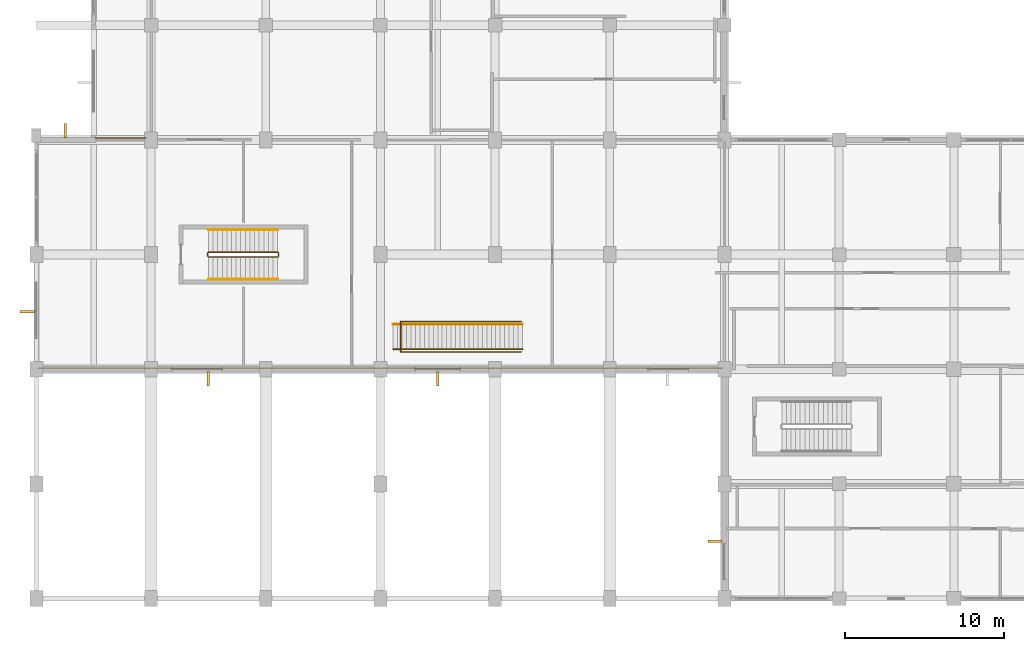
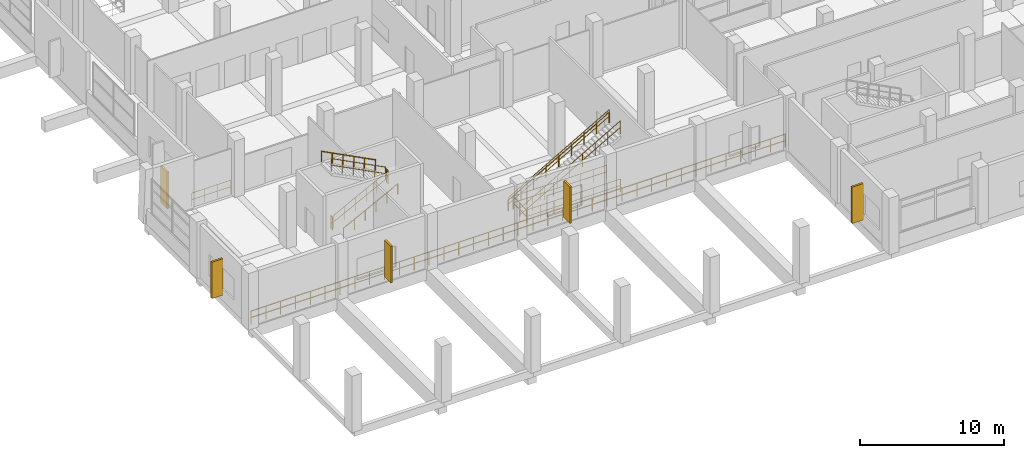
# One storey, part 170 of 181: 14 railings, 5 shading devices.
"""IFC4 building model written with IfcOpenShell, lengths in metres."""

from ifc_helpers import new_model, si_unit, direction, frame, origin, origin_2d, place, context, subcontext, project, spatial, rectangle, circle, extrude, material, type_object, element, save


model = new_model("IFC4")

# Units and contexts
model_context = context("Model", 3, precision=1e-05, world=origin(), true_north=direction((0.0, 1.0)))
body_context = subcontext(model_context, "Body", "Model", "MODEL_VIEW")
ifc_project = project(units=[si_unit("LENGTHUNIT", "METRE"), si_unit("AREAUNIT", "SQUARE_METRE"), si_unit("VOLUMEUNIT", "CUBIC_METRE"), si_unit("PLANEANGLEUNIT", "RADIAN"), si_unit("MASSUNIT", "GRAM", prefix="KILO")], contexts=[model_context])

# Site, building, storey
site_placement = place(None, origin())
site = spatial("IfcSite", under=ifc_project, at=site_placement, CompositionType="ELEMENT")
building_placement = place(site_placement, origin())
building = spatial("IfcBuilding", under=site, at=building_placement, Name="Seraya Terrace Polytechnic", CompositionType="ELEMENT")
storey_placement = place(building_placement, frame((0.0, 0.0, 4.800048828125)))
storey = spatial("IfcBuildingStorey", under=building, at=storey_placement, Name="L01", CompositionType="ELEMENT", Elevation=4.800048828125)

# Shading devices
ifc_material_1 = material(Name="Precast concrete C40/50", Category="concrete")
shading_device_type = type_object("IfcShadingDeviceType", Name="BS-F1", PredefinedType="JALOUSIE", material=ifc_material_1)
for number, where, z_axis, x_axis, name in (
    (1, (42.60498046875, 3.60009765625, 0.449951171875), (0.0, 0.0, 1.0), (-1.0, 0.0, 0.0), "Precast concrete brise-soleil fin L01"),
    (2, (25.199951171875, 13.804931640625, 0.449951171875), (0.0, 0.0, 1.0), (0.0, -1.0, 0.0), "Precast concrete brise-soleil fin L01"),
    (3, (10.800048828125, 13.804931640625, 0.449951171875), (0.0, 0.0, 1.0), (0.0, -1.0, 0.0), "Precast concrete brise-soleil fin L01"),
    (4, (-0.580078125, 18.0, 0.449951171875), (0.0, 0.0, 1.0), (-1.0, 0.0, 0.0), "Precast concrete brise-soleil fin L01"),
    (5, (1.800048828125, 29.3798828125, 0.449951171875), (0.0, 0.0, 1.0), (0.0, 1.0, 0.0), "Precast concrete brise-soleil fin L01"),
):
    element("IfcShadingDevice", number, at=place(storey_placement, frame(where, z_axis=z_axis, x_axis=x_axis)), inside=storey, type_object=shading_device_type, Name=name, PredefinedType="JALOUSIE", context=body_context, shape_type="SweptSolid", body=[
        extrude(rectangle(XDim=0.89990234375, YDim=0.14990234375, at=origin_2d()), origin(), (0.0, 0.0, 1.0), 3.10009765625),
    ])

# Railings
ifc_material_2 = material(Name="Steel S355J2", Category="steel")
railing_type_1 = type_object("IfcRailingType", Name="GR-01", PredefinedType="GUARDRAIL", material=ifc_material_2)
railing_1_placement = place(storey_placement, frame((3.719970703125, 28.919921875, 0.0)))
element("IfcRailing", 6, at=railing_1_placement, inside=storey, type_object=railing_type_1, Name="Colonnade gallery guardrail GR-L01-COL-S", PredefinedType="GUARDRAIL", context=body_context, shape_type="SweptSolid", body=[
    extrude(circle(Radius=0.02392578125, at=origin_2d()), frame((0.0, 0.0, 1.10595703125), z_axis=(1.0, 0.0, 0.0), x_axis=(0.0, 1.0, 0.0)), (0.0, 0.0, 1.0), 3.130126953125),
    extrude(circle(Radius=0.02392578125, at=origin_2d()), frame((0.0, 0.0, 0.550048828125), z_axis=(1.0, 0.0, 0.0), x_axis=(0.0, 1.0, 0.0)), (0.0, 0.0, 1.0), 3.130126953125),
    extrude(circle(Radius=0.02099609375, at=origin_2d()), origin(), (0.0, 0.0, 1.0), 1.081787109375),
    extrude(circle(Radius=0.02099609375, at=origin_2d()), frame((1.04345703125, 0.0, 0.0)), (0.0, 0.0, 1.0), 1.081787109375),
    extrude(circle(Radius=0.02099609375, at=origin_2d()), frame((2.086669921875, 0.0, 0.0)), (0.0, 0.0, 1.0), 1.081787109375),
    extrude(circle(Radius=0.02099609375, at=origin_2d()), frame((3.130126953125, 0.0, 0.0)), (0.0, 0.0, 1.0), 1.081787109375),
])
railing_type_2 = type_object("IfcRailingType", Name="GR-02", PredefinedType="GUARDRAIL", material=ifc_material_2)
railing_2_placement = place(storey_placement, frame((10.800048828125, 21.449951171875, 0.14990234375)))
element("IfcRailing", 7, at=railing_2_placement, inside=storey, type_object=railing_type_2, Name="L01 ST-09 stair guard 1", PredefinedType="GUARDRAIL", context=body_context, shape_type="SweptSolid", body=[
    extrude(circle(Radius=0.02392578125, at=origin_2d()), frame((0.0, 0.0, 1.10595703125), z_axis=(0.888211329745, 0.0, 0.459435124596), x_axis=(0.0, 1.0, 0.0)), (0.0, 0.0, 1.0), 4.897216796875),
    extrude(circle(Radius=0.02392578125, at=origin_2d()), frame((0.0, 0.0, 0.550048828125), z_axis=(0.888211329745, 0.0, 0.459435124596), x_axis=(0.0, 1.0, 0.0)), (0.0, 0.0, 1.0), 4.897216796875),
    extrude(circle(Radius=0.02099609375, at=origin_2d()), origin(), (0.0, 0.0, 1.0), 1.081787109375),
    extrude(circle(Radius=0.02099609375, at=origin_2d()), frame((0.869873046875, 0.0, 0.449951171875)), (0.0, 0.0, 1.0), 1.081787109375),
    extrude(circle(Radius=0.02099609375, at=origin_2d()), frame((1.739990234375, 0.0, 0.89990234375)), (0.0, 0.0, 1.0), 1.081787109375),
    extrude(circle(Radius=0.02099609375, at=origin_2d()), frame((2.60986328125, 0.0, 1.35009765625)), (0.0, 0.0, 1.0), 1.081787109375),
    extrude(circle(Radius=0.02099609375, at=origin_2d()), frame((3.47998046875, 0.0, 1.800048828125)), (0.0, 0.0, 1.0), 1.081787109375),
    extrude(circle(Radius=0.02099609375, at=origin_2d()), frame((4.349853515625, 0.0, 2.25)), (0.0, 0.0, 1.0), 1.081787109375),
])
railing_3_placement = place(storey_placement, frame((15.199951171875, 21.5, 2.39990234375)))
element("IfcRailing", 8, at=railing_3_placement, inside=storey, type_object=railing_type_2, Name="L01 ST-09 stair guard 2", PredefinedType="GUARDRAIL", context=body_context, shape_type="SweptSolid", body=[
    extrude(circle(Radius=0.02392578125, at=origin_2d()), frame((0.0, 0.0, 1.10595703125), z_axis=(0.0, 1.0, 0.0), x_axis=(-1.0, 0.0, 0.0)), (0.0, 0.0, 1.0), 0.199951171875),
    extrude(circle(Radius=0.02392578125, at=origin_2d()), frame((0.0, 0.0, 0.550048828125), z_axis=(0.0, 1.0, 0.0), x_axis=(-1.0, 0.0, 0.0)), (0.0, 0.0, 1.0), 0.199951171875),
    extrude(circle(Radius=0.02099609375, at=origin_2d()), origin(), (0.0, 0.0, 1.0), 1.081787109375),
    extrude(circle(Radius=0.02099609375, at=origin_2d()), frame((0.0, 0.199951171875, 0.0)), (0.0, 0.0, 1.0), 1.081787109375),
])
railing_4_placement = place(storey_placement, frame((15.14990234375, 21.75, 2.550048828125)))
element("IfcRailing", 9, at=railing_4_placement, inside=storey, type_object=railing_type_2, Name="L01 ST-09 stair guard 3", PredefinedType="GUARDRAIL", context=body_context, shape_type="SweptSolid", body=[
    extrude(circle(Radius=0.02392578125, at=origin_2d()), frame((0.0, 0.0, 1.10595703125), z_axis=(-0.888211329745, 0.0, 0.459435124596), x_axis=(0.0, -1.0, 0.0)), (0.0, 0.0, 1.0), 4.897216796875),
    extrude(circle(Radius=0.02392578125, at=origin_2d()), frame((0.0, 0.0, 0.550048828125), z_axis=(-0.888211329745, 0.0, 0.459435124596), x_axis=(0.0, -1.0, 0.0)), (0.0, 0.0, 1.0), 4.897216796875),
    extrude(circle(Radius=0.02099609375, at=origin_2d()), origin(), (0.0, 0.0, 1.0), 1.081787109375),
    extrude(circle(Radius=0.02099609375, at=origin_2d()), frame((-0.869873046875, 0.0, 0.449951171875)), (0.0, 0.0, 1.0), 1.081787109375),
    extrude(circle(Radius=0.02099609375, at=origin_2d()), frame((-1.739990234375, 0.0, 0.89990234375)), (0.0, 0.0, 1.0), 1.081787109375),
    extrude(circle(Radius=0.02099609375, at=origin_2d()), frame((-2.60986328125, 0.0, 1.35009765625)), (0.0, 0.0, 1.0), 1.081787109375),
    extrude(circle(Radius=0.02099609375, at=origin_2d()), frame((-3.47998046875, 0.0, 1.800048828125)), (0.0, 0.0, 1.0), 1.081787109375),
    extrude(circle(Radius=0.02099609375, at=origin_2d()), frame((-4.349853515625, 0.0, 2.25)), (0.0, 0.0, 1.0), 1.081787109375),
])
railing_5_placement = place(storey_placement, frame((10.75, 21.5, 0.0)))
element("IfcRailing", 10, at=railing_5_placement, inside=storey, type_object=railing_type_2, Name="L01 ST-09 stair guard 4", PredefinedType="GUARDRAIL", context=body_context, shape_type="SweptSolid", body=[
    extrude(circle(Radius=0.02392578125, at=origin_2d()), frame((0.0, 0.0, 1.10595703125), z_axis=(0.0, 1.0, 0.0), x_axis=(-1.0, 0.0, 0.0)), (0.0, 0.0, 1.0), 0.199951171875),
    extrude(circle(Radius=0.02392578125, at=origin_2d()), frame((0.0, 0.0, 0.550048828125), z_axis=(0.0, 1.0, 0.0), x_axis=(-1.0, 0.0, 0.0)), (0.0, 0.0, 1.0), 0.199951171875),
    extrude(circle(Radius=0.02099609375, at=origin_2d()), origin(), (0.0, 0.0, 1.0), 1.081787109375),
    extrude(circle(Radius=0.02099609375, at=origin_2d()), frame((0.0, 0.199951171875, 0.0)), (0.0, 0.0, 1.0), 1.081787109375),
])
railing_6_placement = place(storey_placement, frame((22.8798828125, 15.47998046875, 0.0)))
element("IfcRailing", 11, at=railing_6_placement, inside=storey, type_object=railing_type_2, Name="ST-15 top opening guard L01.1", PredefinedType="GUARDRAIL", context=body_context, shape_type="SweptSolid", body=[
    extrude(circle(Radius=0.02392578125, at=origin_2d()), frame((0.0, 0.0, 1.10595703125), z_axis=(0.0, 1.0, 0.0), x_axis=(-1.0, 0.0, 0.0)), (0.0, 0.0, 1.0), 1.919921875),
    extrude(circle(Radius=0.02392578125, at=origin_2d()), frame((0.0, 0.0, 0.550048828125), z_axis=(0.0, 1.0, 0.0), x_axis=(-1.0, 0.0, 0.0)), (0.0, 0.0, 1.0), 1.919921875),
    extrude(circle(Radius=0.02099609375, at=origin_2d()), origin(), (0.0, 0.0, 1.0), 1.081787109375),
    extrude(circle(Radius=0.02099609375, at=origin_2d()), frame((0.0, 0.9599609375, 0.0)), (0.0, 0.0, 1.0), 1.081787109375),
    extrude(circle(Radius=0.02099609375, at=origin_2d()), frame((0.0, 1.919921875, 0.0)), (0.0, 0.0, 1.0), 1.081787109375),
])
for number, where, name in (
    (12, (22.93994140625, 15.47998046875, 0.0), "ST-15 top opening guard L01.2"),
    (13, (22.93994140625, 17.39990234375, 0.0), "ST-15 top opening guard L01.3"),
):
    element("IfcRailing", number, at=place(storey_placement, frame(where)), inside=storey, type_object=railing_type_2, Name=name, PredefinedType="GUARDRAIL", context=body_context, shape_type="SweptSolid", body=[
        extrude(circle(Radius=0.02392578125, at=origin_2d()), frame((0.0, 0.0, 1.10595703125), z_axis=(1.0, 0.0, 0.0), x_axis=(0.0, 1.0, 0.0)), (0.0, 0.0, 1.0), 7.47998046875),
        extrude(circle(Radius=0.02392578125, at=origin_2d()), frame((0.0, 0.0, 0.550048828125), z_axis=(1.0, 0.0, 0.0), x_axis=(0.0, 1.0, 0.0)), (0.0, 0.0, 1.0), 7.47998046875),
        extrude(circle(Radius=0.02099609375, at=origin_2d()), origin(), (0.0, 0.0, 1.0), 1.081787109375),
        extrude(circle(Radius=0.02099609375, at=origin_2d()), frame((1.068603515625, 0.0, 0.0)), (0.0, 0.0, 1.0), 1.081787109375),
        extrude(circle(Radius=0.02099609375, at=origin_2d()), frame((2.13720703125, 0.0, 0.0)), (0.0, 0.0, 1.0), 1.081787109375),
        extrude(circle(Radius=0.02099609375, at=origin_2d()), frame((3.205810546875, 0.0, 0.0)), (0.0, 0.0, 1.0), 1.081787109375),
        extrude(circle(Radius=0.02099609375, at=origin_2d()), frame((4.274169921875, 0.0, 0.0)), (0.0, 0.0, 1.0), 1.081787109375),
        extrude(circle(Radius=0.02099609375, at=origin_2d()), frame((5.3427734375, 0.0, 0.0)), (0.0, 0.0, 1.0), 1.081787109375),
        extrude(circle(Radius=0.02099609375, at=origin_2d()), frame((6.411376953125, 0.0, 0.0)), (0.0, 0.0, 1.0), 1.081787109375),
        extrude(circle(Radius=0.02099609375, at=origin_2d()), frame((7.47998046875, 0.0, 0.0)), (0.0, 0.0, 1.0), 1.081787109375),
    ])
for number, where, name in (
    (14, (22.39990234375, 15.659912109375, 0.159912109375), "ST-15 flight guard L01"),
    (15, (22.39990234375, 17.219970703125, 0.159912109375), "ST-15 flight outer guard L01"),
):
    element("IfcRailing", number, at=place(storey_placement, frame(where)), inside=storey, type_object=railing_type_2, Name=name, PredefinedType="GUARDRAIL", context=body_context, shape_type="SweptSolid", body=[
        extrude(circle(Radius=0.02392578125, at=origin_2d()), frame((0.0, 0.0, 1.10595703125), z_axis=(0.868239929229, 0.0, 0.496144560882), x_axis=(0.0, 1.0, 0.0)), (0.0, 0.0, 1.0), 9.352294921875),
        extrude(circle(Radius=0.02392578125, at=origin_2d()), frame((0.0, 0.0, 0.550048828125), z_axis=(0.868239929229, 0.0, 0.496144560882), x_axis=(0.0, 1.0, 0.0)), (0.0, 0.0, 1.0), 9.352294921875),
        extrude(circle(Radius=0.02099609375, at=origin_2d()), origin(), (0.0, 0.0, 1.0), 1.081787109375),
        extrude(circle(Radius=0.02099609375, at=origin_2d()), frame((1.01513671875, 0.0, 0.580078125)), (0.0, 0.0, 1.0), 1.081787109375),
        extrude(circle(Radius=0.02099609375, at=origin_2d()), frame((2.030029296875, 0.0, 1.16015625)), (0.0, 0.0, 1.0), 1.081787109375),
        extrude(circle(Radius=0.02099609375, at=origin_2d()), frame((3.044921875, 0.0, 1.739990234375)), (0.0, 0.0, 1.0), 1.081787109375),
        extrude(circle(Radius=0.02099609375, at=origin_2d()), frame((4.06005859375, 0.0, 2.320068359375)), (0.0, 0.0, 1.0), 1.081787109375),
        extrude(circle(Radius=0.02099609375, at=origin_2d()), frame((5.0751953125, 0.0, 2.900146484375)), (0.0, 0.0, 1.0), 1.081787109375),
        extrude(circle(Radius=0.02099609375, at=origin_2d()), frame((6.090087890625, 0.0, 3.47998046875)), (0.0, 0.0, 1.0), 1.081787109375),
        extrude(circle(Radius=0.02099609375, at=origin_2d()), frame((7.10498046875, 0.0, 4.06005859375)), (0.0, 0.0, 1.0), 1.081787109375),
        extrude(circle(Radius=0.02099609375, at=origin_2d()), frame((8.1201171875, 0.0, 4.64013671875)), (0.0, 0.0, 1.0), 1.081787109375),
    ])
railing_7_placement = place(storey_placement, frame((0.1201171875, 14.4599609375, 0.0)))
element("IfcRailing", 16, at=railing_7_placement, inside=storey, type_object=railing_type_2, Name="Lecture concourse overlook guardrail L01", PredefinedType="GUARDRAIL", context=body_context, shape_type="SweptSolid", body=[
    extrude(circle(Radius=0.02392578125, at=origin_2d()), frame((0.0, 0.0, 1.10595703125), z_axis=(1.0, 0.0, 0.0), x_axis=(0.0, 1.0, 0.0)), (0.0, 0.0, 1.0), 42.9599609375),
    extrude(circle(Radius=0.02392578125, at=origin_2d()), frame((0.0, 0.0, 0.550048828125), z_axis=(1.0, 0.0, 0.0), x_axis=(0.0, 1.0, 0.0)), (0.0, 0.0, 1.0), 42.9599609375),
    extrude(circle(Radius=0.02099609375, at=origin_2d()), origin(), (0.0, 0.0, 1.0), 1.081787109375),
    extrude(circle(Radius=0.02099609375, at=origin_2d()), frame((1.193359375, 0.0, 0.0)), (0.0, 0.0, 1.0), 1.081787109375),
    extrude(circle(Radius=0.02099609375, at=origin_2d()), frame((2.38671875, 0.0, 0.0)), (0.0, 0.0, 1.0), 1.081787109375),
    extrude(circle(Radius=0.02099609375, at=origin_2d()), frame((3.580078125, 0.0, 0.0)), (0.0, 0.0, 1.0), 1.081787109375),
    extrude(circle(Radius=0.02099609375, at=origin_2d()), frame((4.7734375, 0.0, 0.0)), (0.0, 0.0, 1.0), 1.081787109375),
    extrude(circle(Radius=0.02099609375, at=origin_2d()), frame((5.966552734375, 0.0, 0.0)), (0.0, 0.0, 1.0), 1.081787109375),
    extrude(circle(Radius=0.02099609375, at=origin_2d()), frame((7.159912109375, 0.0, 0.0)), (0.0, 0.0, 1.0), 1.081787109375),
    extrude(circle(Radius=0.02099609375, at=origin_2d()), frame((8.353271484375, 0.0, 0.0)), (0.0, 0.0, 1.0), 1.081787109375),
    extrude(circle(Radius=0.02099609375, at=origin_2d()), frame((9.546630859375, 0.0, 0.0)), (0.0, 0.0, 1.0), 1.081787109375),
    extrude(circle(Radius=0.02099609375, at=origin_2d()), frame((10.739990234375, 0.0, 0.0)), (0.0, 0.0, 1.0), 1.081787109375),
    extrude(circle(Radius=0.02099609375, at=origin_2d()), frame((11.933349609375, 0.0, 0.0)), (0.0, 0.0, 1.0), 1.081787109375),
    extrude(circle(Radius=0.02099609375, at=origin_2d()), frame((13.126708984375, 0.0, 0.0)), (0.0, 0.0, 1.0), 1.081787109375),
    extrude(circle(Radius=0.02099609375, at=origin_2d()), frame((14.320068359375, 0.0, 0.0)), (0.0, 0.0, 1.0), 1.081787109375),
    extrude(circle(Radius=0.02099609375, at=origin_2d()), frame((15.513427734375, 0.0, 0.0)), (0.0, 0.0, 1.0), 1.081787109375),
    extrude(circle(Radius=0.02099609375, at=origin_2d()), frame((16.70654296875, 0.0, 0.0)), (0.0, 0.0, 1.0), 1.081787109375),
    extrude(circle(Radius=0.02099609375, at=origin_2d()), frame((17.89990234375, 0.0, 0.0)), (0.0, 0.0, 1.0), 1.081787109375),
    extrude(circle(Radius=0.02099609375, at=origin_2d()), frame((19.09326171875, 0.0, 0.0)), (0.0, 0.0, 1.0), 1.081787109375),
    extrude(circle(Radius=0.02099609375, at=origin_2d()), frame((20.28662109375, 0.0, 0.0)), (0.0, 0.0, 1.0), 1.081787109375),
    extrude(circle(Radius=0.02099609375, at=origin_2d()), frame((21.47998046875, 0.0, 0.0)), (0.0, 0.0, 1.0), 1.081787109375),
    extrude(circle(Radius=0.02099609375, at=origin_2d()), frame((22.67333984375, 0.0, 0.0)), (0.0, 0.0, 1.0), 1.081787109375),
    extrude(circle(Radius=0.02099609375, at=origin_2d()), frame((23.86669921875, 0.0, 0.0)), (0.0, 0.0, 1.0), 1.081787109375),
    extrude(circle(Radius=0.02099609375, at=origin_2d()), frame((25.06005859375, 0.0, 0.0)), (0.0, 0.0, 1.0), 1.081787109375),
    extrude(circle(Radius=0.02099609375, at=origin_2d()), frame((26.25341796875, 0.0, 0.0)), (0.0, 0.0, 1.0), 1.081787109375),
    extrude(circle(Radius=0.02099609375, at=origin_2d()), frame((27.446533203125, 0.0, 0.0)), (0.0, 0.0, 1.0), 1.081787109375),
    extrude(circle(Radius=0.02099609375, at=origin_2d()), frame((28.639892578125, 0.0, 0.0)), (0.0, 0.0, 1.0), 1.081787109375),
    extrude(circle(Radius=0.02099609375, at=origin_2d()), frame((29.833251953125, 0.0, 0.0)), (0.0, 0.0, 1.0), 1.081787109375),
    extrude(circle(Radius=0.02099609375, at=origin_2d()), frame((31.026611328125, 0.0, 0.0)), (0.0, 0.0, 1.0), 1.081787109375),
    extrude(circle(Radius=0.02099609375, at=origin_2d()), frame((32.219970703125, 0.0, 0.0)), (0.0, 0.0, 1.0), 1.081787109375),
    extrude(circle(Radius=0.02099609375, at=origin_2d()), frame((33.413330078125, 0.0, 0.0)), (0.0, 0.0, 1.0), 1.081787109375),
    extrude(circle(Radius=0.02099609375, at=origin_2d()), frame((34.606689453125, 0.0, 0.0)), (0.0, 0.0, 1.0), 1.081787109375),
    extrude(circle(Radius=0.02099609375, at=origin_2d()), frame((35.800048828125, 0.0, 0.0)), (0.0, 0.0, 1.0), 1.081787109375),
    extrude(circle(Radius=0.02099609375, at=origin_2d()), frame((36.993408203125, 0.0, 0.0)), (0.0, 0.0, 1.0), 1.081787109375),
    extrude(circle(Radius=0.02099609375, at=origin_2d()), frame((38.1865234375, 0.0, 0.0)), (0.0, 0.0, 1.0), 1.081787109375),
    extrude(circle(Radius=0.02099609375, at=origin_2d()), frame((39.3798828125, 0.0, 0.0)), (0.0, 0.0, 1.0), 1.081787109375),
    extrude(circle(Radius=0.02099609375, at=origin_2d()), frame((40.5732421875, 0.0, 0.0)), (0.0, 0.0, 1.0), 1.081787109375),
    extrude(circle(Radius=0.02099609375, at=origin_2d()), frame((41.7666015625, 0.0, 0.0)), (0.0, 0.0, 1.0), 1.081787109375),
    extrude(circle(Radius=0.02099609375, at=origin_2d()), frame((42.9599609375, 0.0, 0.0)), (0.0, 0.0, 1.0), 1.081787109375),
])
railing_type_3 = type_object("IfcRailingType", Name="HR-01", PredefinedType="HANDRAIL", material=ifc_material_2)
railing_8_placement = place(storey_placement, frame((10.800048828125, 20.050048828125, 0.14990234375)))
element("IfcRailing", 17, at=railing_8_placement, inside=storey, type_object=railing_type_3, Name="L01 ST-09 stair handrail 1", PredefinedType="HANDRAIL", context=body_context, shape_type="SweptSolid", body=[
    extrude(circle(Radius=0.02392578125, at=origin_2d()), frame((0.0, 0.0, 0.8759765625), z_axis=(0.888211329745, 0.0, 0.459435124596), x_axis=(0.0, 1.0, 0.0)), (0.0, 0.0, 1.0), 4.897216796875),
    extrude(circle(Radius=0.02099609375, at=origin_2d()), origin(), (0.0, 0.0, 1.0), 0.851806640625),
    extrude(circle(Radius=0.02099609375, at=origin_2d()), frame((0.869873046875, 0.0, 0.449951171875)), (0.0, 0.0, 1.0), 0.851806640625),
    extrude(circle(Radius=0.02099609375, at=origin_2d()), frame((1.739990234375, 0.0, 0.89990234375)), (0.0, 0.0, 1.0), 0.851806640625),
    extrude(circle(Radius=0.02099609375, at=origin_2d()), frame((2.60986328125, 0.0, 1.35009765625)), (0.0, 0.0, 1.0), 0.851806640625),
    extrude(circle(Radius=0.02099609375, at=origin_2d()), frame((3.47998046875, 0.0, 1.800048828125)), (0.0, 0.0, 1.0), 0.851806640625),
    extrude(circle(Radius=0.02099609375, at=origin_2d()), frame((4.349853515625, 0.0, 2.25)), (0.0, 0.0, 1.0), 0.851806640625),
])
railing_9_placement = place(storey_placement, frame((15.14990234375, 23.14990234375, 2.550048828125)))
element("IfcRailing", 18, at=railing_9_placement, inside=storey, type_object=railing_type_3, Name="L01 ST-09 stair handrail 2", PredefinedType="HANDRAIL", context=body_context, shape_type="SweptSolid", body=[
    extrude(circle(Radius=0.02392578125, at=origin_2d()), frame((0.0, 0.0, 0.8759765625), z_axis=(-0.888211329745, 0.0, 0.459435124596), x_axis=(0.0, -1.0, 0.0)), (0.0, 0.0, 1.0), 4.897216796875),
    extrude(circle(Radius=0.02099609375, at=origin_2d()), origin(), (0.0, 0.0, 1.0), 0.851806640625),
    extrude(circle(Radius=0.02099609375, at=origin_2d()), frame((-0.869873046875, 0.0, 0.449951171875)), (0.0, 0.0, 1.0), 0.851806640625),
    extrude(circle(Radius=0.02099609375, at=origin_2d()), frame((-1.739990234375, 0.0, 0.89990234375)), (0.0, 0.0, 1.0), 0.851806640625),
    extrude(circle(Radius=0.02099609375, at=origin_2d()), frame((-2.60986328125, 0.0, 1.35009765625)), (0.0, 0.0, 1.0), 0.851806640625),
    extrude(circle(Radius=0.02099609375, at=origin_2d()), frame((-3.47998046875, 0.0, 1.800048828125)), (0.0, 0.0, 1.0), 0.851806640625),
    extrude(circle(Radius=0.02099609375, at=origin_2d()), frame((-4.349853515625, 0.0, 2.25)), (0.0, 0.0, 1.0), 0.851806640625),
])
railing_10_placement = place(storey_placement, frame((22.39990234375, 17.219970703125, 0.159912109375)))
element("IfcRailing", 19, at=railing_10_placement, inside=storey, type_object=railing_type_3, Name="ST-15 handrail L01", PredefinedType="HANDRAIL", context=body_context, shape_type="SweptSolid", body=[
    extrude(circle(Radius=0.02392578125, at=origin_2d()), frame((0.0, 0.0, 0.8759765625), z_axis=(0.868239929229, 0.0, 0.496144560882), x_axis=(0.0, 1.0, 0.0)), (0.0, 0.0, 1.0), 9.352294921875),
    extrude(circle(Radius=0.02099609375, at=origin_2d()), origin(), (0.0, 0.0, 1.0), 0.851806640625),
    extrude(circle(Radius=0.02099609375, at=origin_2d()), frame((1.01513671875, 0.0, 0.580078125)), (0.0, 0.0, 1.0), 0.851806640625),
    extrude(circle(Radius=0.02099609375, at=origin_2d()), frame((2.030029296875, 0.0, 1.16015625)), (0.0, 0.0, 1.0), 0.851806640625),
    extrude(circle(Radius=0.02099609375, at=origin_2d()), frame((3.044921875, 0.0, 1.739990234375)), (0.0, 0.0, 1.0), 0.851806640625),
    extrude(circle(Radius=0.02099609375, at=origin_2d()), frame((4.06005859375, 0.0, 2.320068359375)), (0.0, 0.0, 1.0), 0.851806640625),
    extrude(circle(Radius=0.02099609375, at=origin_2d()), frame((5.0751953125, 0.0, 2.900146484375)), (0.0, 0.0, 1.0), 0.851806640625),
    extrude(circle(Radius=0.02099609375, at=origin_2d()), frame((6.090087890625, 0.0, 3.47998046875)), (0.0, 0.0, 1.0), 0.851806640625),
    extrude(circle(Radius=0.02099609375, at=origin_2d()), frame((7.10498046875, 0.0, 4.06005859375)), (0.0, 0.0, 1.0), 0.851806640625),
    extrude(circle(Radius=0.02099609375, at=origin_2d()), frame((8.1201171875, 0.0, 4.64013671875)), (0.0, 0.0, 1.0), 0.851806640625),
])

save(model, "model.ifc")
